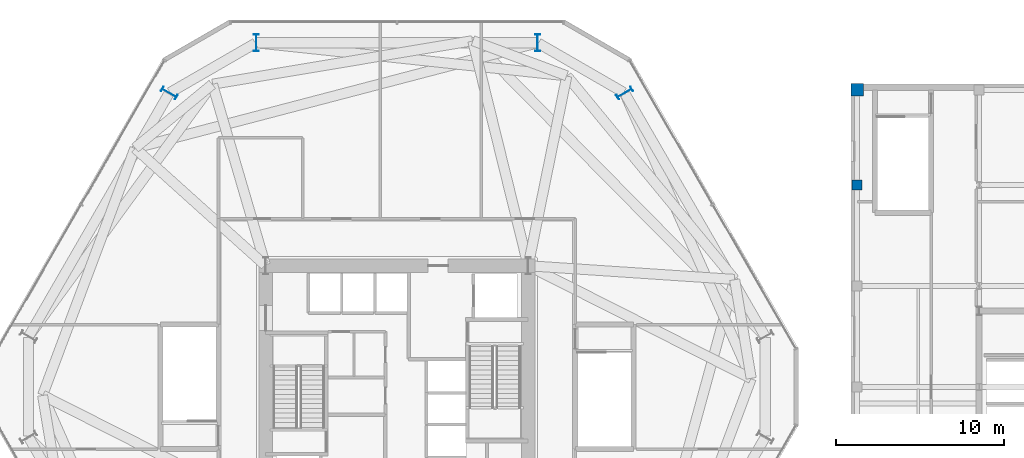
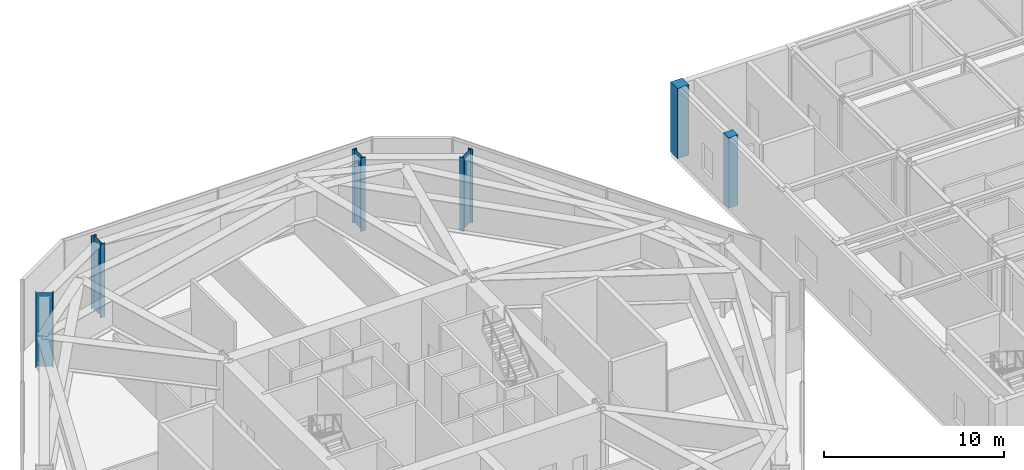
# One storey, part 3 of 16: 6 columns.
"""IFC4 building model written with IfcOpenShell, lengths in metres."""

import ifcopenshell
import ifcopenshell.guid

model = None  # the IFC model being written
_history = None  # IfcOwnerHistory: only IFC2X3 demands one
_inside = {}  # id of a spatial element -> (the spatial element, [elements in it])
_under = {}  # id of a project, library or spatial element -> (it, [spatial elements below it])
_declared = {}  # id of a project -> (the project, [libraries it declares])
_typed = {}  # id of a type object -> (the type object, [elements of that type])
_made_of = {}  # id of a material, layer set ... -> (it, [elements and type objects made of it])


def new_model(schema):
    """Start an empty IFC model of exactly this schema.

    Asked for "IFC4X3", IfcOpenShell would pick the latest addendum, in which some entities
    have other attributes; the version numbers below select the first issue.
    IFC2X3 requires an IfcOwnerHistory on every rooted entity: one is made here for all.
    """
    global model, _history
    if schema == "IFC4X3":
        model = ifcopenshell.file(schema_version=(4, 3, 0, 0))
    else:
        model = ifcopenshell.file(schema=schema)
    _inside.clear()
    _under.clear()
    _declared.clear()
    _typed.clear()
    _made_of.clear()
    _history = None
    if model.schema == "IFC2X3":
        org = make("IfcOrganization", Name="unknown")
        user = make(
            "IfcPersonAndOrganization",
            ThePerson=make("IfcPerson", FamilyName="unknown"),
            TheOrganization=org,
        )
        app = make(
            "IfcApplication",
            ApplicationDeveloper=org,
            Version="unknown",
            ApplicationFullName="unknown",
            ApplicationIdentifier="unknown",
        )
        _history = make(
            "IfcOwnerHistory",
            OwningUser=user,
            OwningApplication=app,
            ChangeAction="ADDED",
            CreationDate=0,
        )
    return model


def make(cls, **values):
    """One entity of the class cls with the attributes given. An attribute that is None is left unset."""
    return model.create_entity(
        cls, **{name: value for name, value in values.items() if value is not None}
    )


def rooted(cls, **values):
    """An entity with a GlobalId (a new one), such as an element, a storey or a relation."""
    return make(cls, GlobalId=ifcopenshell.guid.new(), OwnerHistory=_history, **values)


def si_unit(unit_type, name, prefix=None):
    """IfcSIUnit, for example si_unit("LENGTHUNIT", "METRE", prefix="MILLI")."""
    return make("IfcSIUnit", UnitType=unit_type, Prefix=prefix, Name=name)


def assignment(units):
    """IfcUnitAssignment: the units of a project."""
    return None if units is None else make("IfcUnitAssignment", Units=units)


def point(xyz):
    """IfcCartesianPoint."""
    return None if xyz is None else make("IfcCartesianPoint", Coordinates=xyz)


def direction(xyz):
    """IfcDirection."""
    return None if xyz is None else make("IfcDirection", DirectionRatios=xyz)


def frame(location, z_axis=None, x_axis=None):
    """IfcAxis2Placement3D, a coordinate frame: its origin and axes. An axis left out is left unset."""
    return make(
        "IfcAxis2Placement3D",
        Location=point(location),
        Axis=direction(z_axis),
        RefDirection=direction(x_axis),
    )


def frame_2d(location, x_axis=None):
    """IfcAxis2Placement2D, a coordinate frame in the plane: its origin and x axis."""
    return make(
        "IfcAxis2Placement2D", Location=point(location), RefDirection=direction(x_axis)
    )


def origin():
    """The frame at (0, 0, 0) with its axes left unset."""
    return frame((0.0, 0.0, 0.0))


def origin_2d():
    """The frame at (0, 0) in the plane with its x axis left unset."""
    return frame_2d((0.0, 0.0))


def place(relative_to, where):
    """IfcLocalPlacement: puts the frame where relative to a parent placement (None: the world)."""
    return make(
        "IfcLocalPlacement", PlacementRelTo=relative_to, RelativePlacement=where
    )


def context(
    kind, dimensions, precision=None, world=None, true_north=None, identifier=None
):
    """IfcGeometricRepresentationContext, for example the 3D "Model" context."""
    return make(
        "IfcGeometricRepresentationContext",
        ContextIdentifier=identifier,
        ContextType=kind,
        CoordinateSpaceDimension=dimensions,
        Precision=precision,
        WorldCoordinateSystem=world,
        TrueNorth=true_north,
    )


def subcontext(parent, identifier, kind, view, scale=None):
    """IfcGeometricRepresentationSubContext, for example "Body" below "Model"."""
    return make(
        "IfcGeometricRepresentationSubContext",
        ContextIdentifier=identifier,
        ContextType=kind,
        ParentContext=parent,
        TargetScale=scale,
        TargetView=view,
    )


def project(units=None, contexts=None):
    """IfcProject with its units and contexts."""
    return rooted(
        "IfcProject",
        Name="project",
        RepresentationContexts=contexts,
        UnitsInContext=assignment(units),
    )


def spatial(cls, under=None, at=None, **own):
    """A site, building, storey or space (cls), placed at a placement, below another one or the project."""
    s = rooted(cls, ObjectPlacement=at, **own)
    if under is not None:
        _under.setdefault(under.id(), (under, []))[1].append(s)
    return s


def profile(cls, at=None, kind="AREA", **sizes):
    """A parametric profile (cls). Its sizes go by their IFC names, for example OverallWidth=200.0."""
    return make(cls, ProfileType=kind, Position=at, **sizes)


def rectangle(**sizes):
    """IfcRectangleProfileDef."""
    return profile("IfcRectangleProfileDef", **sizes)


def i_section(**sizes):
    """IfcIShapeProfileDef."""
    return profile("IfcIShapeProfileDef", **sizes)


def extrude(swept, where, along, depth):
    """IfcExtrudedAreaSolid: the profile swept, set in the frame where, extruded along a direction by depth."""
    return make(
        "IfcExtrudedAreaSolid",
        SweptArea=swept,
        Position=where,
        ExtrudedDirection=direction(along),
        Depth=depth,
    )


def shape(context_of_items, identifier, shape_type, items):
    """IfcShapeRepresentation: the items that make up one representation, for example the "Body"."""
    return make(
        "IfcShapeRepresentation",
        ContextOfItems=context_of_items,
        RepresentationIdentifier=identifier,
        RepresentationType=shape_type,
        Items=items,
    )


def material(Name=None, Category=None):
    """IfcMaterial."""
    return make("IfcMaterial", Name=Name, Category=Category)


def material_profile(
    of_material, cross_section, Name=None, Category=None, Priority=None
):
    """IfcMaterialProfile: a cross section and its material."""
    return make(
        "IfcMaterialProfile",
        Name=Name,
        Material=of_material,
        Profile=cross_section,
        Priority=Priority,
        Category=Category,
    )


def profile_set(profiles, Name=None, composite=None):
    """IfcMaterialProfileSet."""
    return make(
        "IfcMaterialProfileSet",
        Name=Name,
        MaterialProfiles=profiles,
        CompositeProfile=composite,
    )


def made_of(thing, what):
    """Note that an element or type object is made of a material, layer set ...; save() writes the relation."""
    if what is not None:
        _made_of.setdefault(what.id(), (what, []))[1].append(thing)
    return thing


def type_object(cls, material=None, **own):
    """A type object (cls), such as IfcWallType, which elements share."""
    return made_of(rooted(cls, **own), material)


def element(
    cls,
    number,
    at=None,
    inside=None,
    cuts=None,
    type_object=None,
    material=None,
    context=None,
    identifier="Body",
    shape_type=None,
    held_by="IfcProductDefinitionShape",
    body=None,
    shapes=None,
    **own,
):
    """One element of the class cls, such as IfcWall. Its Tag is "e" and its number.

    at: its placement. inside: the storey or other place that contains it. cuts: it is an
    opening in that element (IfcRelVoidsElement). A single representation is given by context,
    identifier, shape_type and body (its items); several are given by shapes. held_by: the class
    of the entity that holds the representations. save() writes the other relations.
    """
    e = rooted(cls, Tag="e%d" % number, ObjectPlacement=at, **own)
    if body is not None:
        shapes = [shape(context, identifier, shape_type, body)]
    if shapes is not None:
        e.Representation = make(held_by, Representations=shapes)
    if inside is not None:
        _inside.setdefault(inside.id(), (inside, []))[1].append(e)
    if cuts is not None:
        rooted(
            "IfcRelVoidsElement", RelatingBuildingElement=cuts, RelatedOpeningElement=e
        )
    if type_object is not None:
        _typed.setdefault(type_object.id(), (type_object, []))[1].append(e)
    return made_of(e, material)


def aggregate(whole, parts):
    """IfcRelAggregates: a whole, such as a stair, and the parts it consists of."""
    return rooted("IfcRelAggregates", RelatingObject=whole, RelatedObjects=parts)


def save(model, path):
    """Write the relations noted so far, then the file.

    IfcRelAggregates (storeys below a building ...), IfcRelContainedInSpatialStructure (elements
    in a storey), IfcRelDefinesByType, IfcRelAssociatesMaterial and IfcRelDeclares: one each for
    every whole, place, type object, material and project.
    """
    for whole, parts in _under.values():
        aggregate(whole, parts)
    for where, things in _inside.values():
        rooted(
            "IfcRelContainedInSpatialStructure",
            RelatedElements=things,
            RelatingStructure=where,
        )
    for kind, things in _typed.values():
        rooted("IfcRelDefinesByType", RelatedObjects=things, RelatingType=kind)
    for what, things in _made_of.values():
        rooted("IfcRelAssociatesMaterial", RelatedObjects=things, RelatingMaterial=what)
    for by, libraries in _declared.values():
        rooted("IfcRelDeclares", RelatingContext=by, RelatedDefinitions=libraries)
    model.write(path)


model = new_model("IFC4")

# Units and contexts
model_context = context("Model", 3, precision=1e-05, world=origin(), true_north=direction((0.0, 1.0)))
body_context = subcontext(model_context, "Body", "Model", "MODEL_VIEW")
ifc_project = project(units=[si_unit("LENGTHUNIT", "METRE"), si_unit("AREAUNIT", "SQUARE_METRE"), si_unit("VOLUMEUNIT", "CUBIC_METRE"), si_unit("PLANEANGLEUNIT", "RADIAN"), si_unit("MASSUNIT", "GRAM", prefix="KILO")], contexts=[model_context])

# Site, building, storey
site_placement = place(None, origin())
site = spatial("IfcSite", under=ifc_project, at=site_placement, CompositionType="ELEMENT")
building_placement = place(site_placement, origin())
building = spatial("IfcBuilding", under=site, at=building_placement, Name="Kranzbogen Civic Tower", CompositionType="ELEMENT")
storey_placement = place(building_placement, frame((0.0, 0.0, 19.0)))
storey = spatial("IfcBuildingStorey", under=building, at=storey_placement, Name="L04", CompositionType="ELEMENT", Elevation=19.0)

# Columns
ifc_material_1 = material(Name="Steel S460", Category="steel")
ifc_material_profile_1 = material_profile(ifc_material_1, i_section(OverallWidth=0.302001953125, OverallDepth=1.008056640625, WebThickness=0.02099609375, FlangeThickness=0.0400390625, at=origin_2d()), Name="HEM 1000")
ifc_profile_set_1 = profile_set([ifc_material_profile_1], Name="Steel S460")
column_type_1 = type_object("IfcColumnType", Name="Structural Column HEM 1000", PredefinedType="COLUMN", material=ifc_profile_set_1)
for number, where, z_axis, x_axis, name in (
    (1, (38.531005859375, 42.464111328125, 0.0), (0.0, 0.0, 1.0), (-0.5, 0.866025403784, 0.0), "L04 tower perimeter tube column 02"),
    (2, (33.35888671875, 45.449951171875, 0.0), (0.0, 0.0, 1.0), (1.0, 0.0, 0.0), "L04 tower perimeter tube column 03"),
    (3, (16.64111328125, 45.449951171875, 0.0), (0.0, 0.0, 1.0), (1.0, 0.0, 0.0), "L04 tower perimeter tube column 04"),
    (4, (11.468994140625, 42.464111328125, 0.0), (0.0, 0.0, 1.0), (0.5, 0.866025403784, 0.0), "L04 tower perimeter tube column 05"),
):
    element("IfcColumn", number, at=place(storey_placement, frame(where, z_axis=z_axis, x_axis=x_axis)), inside=storey, type_object=column_type_1, Name=name, PredefinedType="COLUMN", context=body_context, shape_type="SweptSolid", body=[
        extrude(i_section(OverallWidth=0.302001953125, OverallDepth=1.008056640625, WebThickness=0.02099609375, FlangeThickness=0.0400390625, at=origin_2d()), origin(), (0.0, 0.0, 1.0), 5.0),
    ])
ifc_material_2 = material(Name="Concrete C40/50", Category="concrete")
ifc_material_profile_2 = material_profile(ifc_material_2, rectangle(XDim=0.60009765625, YDim=0.60009765625, at=origin_2d()), Name="RC 600x600")
ifc_profile_set_2 = profile_set([ifc_material_profile_2], Name="Concrete C40/50")
column_type_2 = type_object("IfcColumnType", Name="Structural Column RC 600x600", PredefinedType="COLUMN", material=ifc_profile_set_2)
column_1_placement = place(storey_placement, frame((52.35009765625, 37.0, 0.0), z_axis=(0.0, 0.0, 1.0), x_axis=(1.0, 0.0, 0.0)))
element("IfcColumn", 5, at=column_1_placement, inside=storey, type_object=column_type_2, Name="L04 Health Centre column 10/G", PredefinedType="COLUMN", context=body_context, shape_type="SweptSolid", body=[
    extrude(rectangle(XDim=0.60009765625, YDim=0.60009765625, at=origin_2d()), origin(), (0.0, 0.0, 1.0), 4.77001953125),
])
ifc_material_profile_3 = material_profile(ifc_material_2, rectangle(XDim=0.75, YDim=0.75, at=origin_2d()), Name="RC 750x750")
ifc_profile_set_3 = profile_set([ifc_material_profile_3], Name="Concrete C40/50")
column_type_3 = type_object("IfcColumnType", Name="Structural Column RC 750x750", PredefinedType="COLUMN", material=ifc_profile_set_3)
column_2_placement = place(storey_placement, frame((52.35009765625, 42.64990234375, 0.0), z_axis=(0.0, 0.0, 1.0), x_axis=(1.0, 0.0, 0.0)))
element("IfcColumn", 6, at=column_2_placement, inside=storey, type_object=column_type_3, Name="L04 Health Centre column 10/H", PredefinedType="COLUMN", context=body_context, shape_type="SweptSolid", body=[
    extrude(rectangle(XDim=0.75, YDim=0.75, at=origin_2d()), origin(), (0.0, 0.0, 1.0), 4.77001953125),
])

save(model, "model.ifc")
